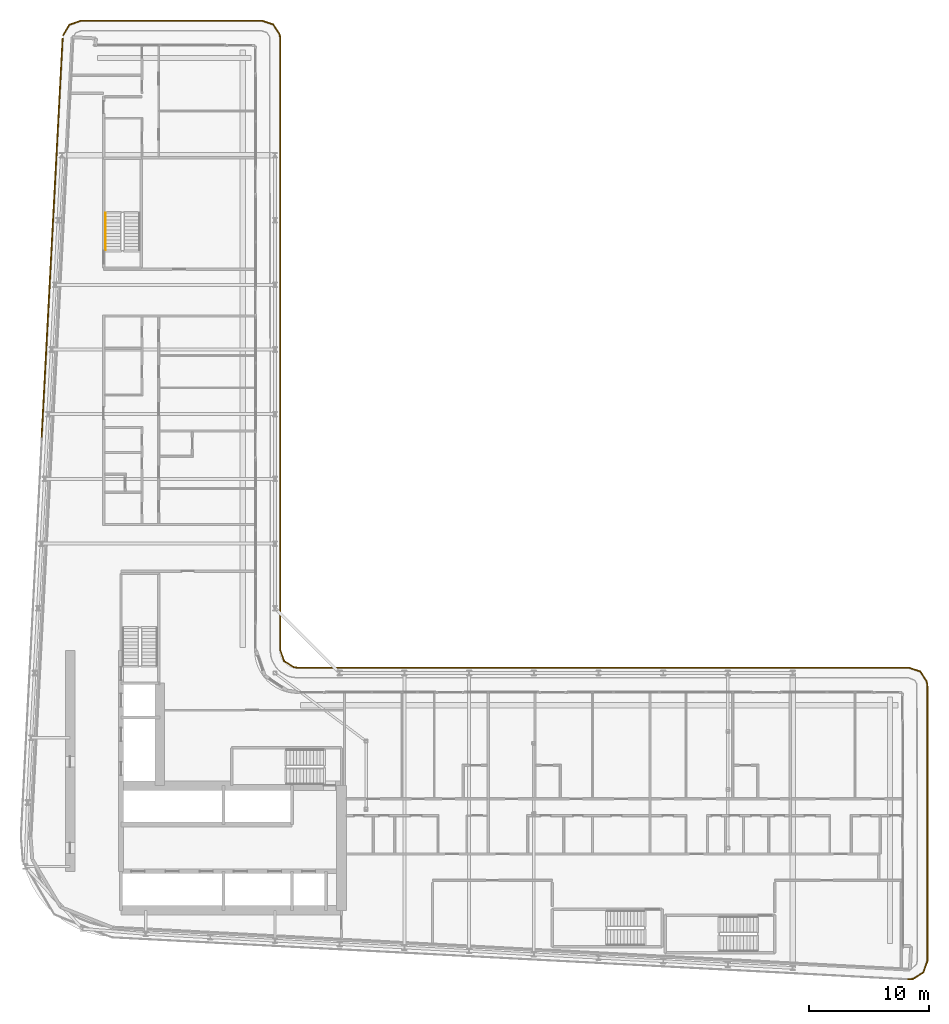
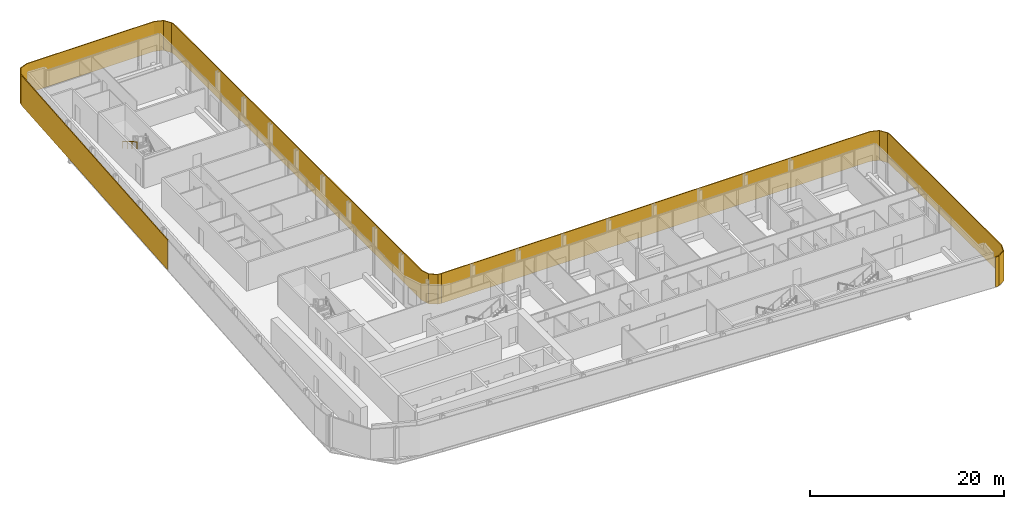
# One storey, part 26 of 28: 3 shading devices, 1 railing.
"""IFC4 building model written with IfcOpenShell, lengths in metres."""

from ifc_helpers import new_model, si_unit, direction, frame, origin, origin_2d, place, context, subcontext, project, spatial, polyline, rectangle, circle, outline, extrude, material, layer, layer_set, type_object, element, save


model = new_model("IFC4")

# Units and contexts
model_context = context("Model", 3, precision=1e-05, world=origin(), true_north=direction((0.0, 1.0)))
body_context = subcontext(model_context, "Body", "Model", "MODEL_VIEW")
ifc_project = project(units=[si_unit("LENGTHUNIT", "METRE"), si_unit("AREAUNIT", "SQUARE_METRE"), si_unit("VOLUMEUNIT", "CUBIC_METRE"), si_unit("PLANEANGLEUNIT", "RADIAN"), si_unit("MASSUNIT", "GRAM", prefix="KILO")], contexts=[model_context])

# Site, building, storey
site_placement = place(None, origin())
site = spatial("IfcSite", under=ifc_project, at=site_placement, CompositionType="ELEMENT")
building_placement = place(site_placement, origin())
building = spatial("IfcBuilding", under=site, at=building_placement, Name="Kheshtan School and Residences Tower", CompositionType="ELEMENT")
storey_placement = place(building_placement, frame((0.0, 0.0, 191.60009765625)))
storey = spatial("IfcBuildingStorey", under=building, at=storey_placement, Name="L45", CompositionType="ELEMENT", Elevation=191.60009765625)

# Shading devices
ifc_material_1 = material(Name="Terracotta baguette, extruded ceramic", Category="masonry")
ifc_layer_1 = layer(ifc_material_1, 0.10009765625)
ifc_layer_set_1 = layer_set([ifc_layer_1], Name="Ledge screen, terracotta baguettes")
shading_device_type_1 = type_object("IfcShadingDeviceType", Name="Ledge screen, terracotta baguettes", PredefinedType="USERDEFINED", material=ifc_layer_set_1)
shading_device_1_placement = place(storey_placement, frame((28.9990234375, 81.93408203125, 0.0), z_axis=(0.0, 0.0, 1.0), x_axis=(0.052562536748, 0.998617634398, 0.0)))
element("IfcShadingDevice", 1, at=shading_device_1_placement, inside=storey, type_object=shading_device_type_1, Name="Screen L45 5", ObjectType="BAGUETTE", PredefinedType="USERDEFINED", context=body_context, shape_type="SweptSolid", body=[
    extrude(rectangle(XDim=33.341064453125, YDim=0.10009765625, at=origin_2d()), origin(), (0.0, 0.0, 1.0), 3.75),
])
ifc_material_2 = material(Name="Terracotta lattice, extruded ceramic", Category="masonry")
ifc_layer_2 = layer(ifc_material_2, 0.10009765625)
ifc_layer_set_2 = layer_set([ifc_layer_2], Name="Loggia screen, terracotta lattice")
shading_device_type_2 = type_object("IfcShadingDeviceType", Name="Loggia screen, terracotta lattice", PredefinedType="USERDEFINED", material=ifc_layer_set_2)
shading_device_2_placement = place(storey_placement, origin())
element("IfcShadingDevice", 2, at=shading_device_2_placement, inside=storey, type_object=shading_device_type_2, Name="Screen L45 1", ObjectType="SCREEN", PredefinedType="USERDEFINED", context=body_context, shape_type="SweptSolid", body=[
    extrude(outline(polyline([(29.949951171875, 98.783935546875), (30.468017578125, 99.656982421875), (31.423095703125, 100.0), (46.5, 100.0), (47.4130859375, 99.68994140625), (47.948974609375, 98.887939453125), (48.0, 98.5), (48.0, 47.5), (48.31005859375, 46.5869140625), (49.112060546875, 46.051025390625), (49.5, 46.0), (49.512939453125, 46.09912109375), (49.14794921875, 46.14697265625), (48.39404296875, 46.65087890625), (48.10009765625, 47.51708984375), (48.10009765625, 98.507080078125), (48.044921875, 98.924072265625), (47.47705078125, 99.77392578125), (46.51708984375, 100.10009765625), (31.406005859375, 100.10009765625), (30.39990234375, 99.739013671875), (29.864013671875, 98.8349609375), (29.949951171875, 98.783935546875)])), origin(), (0.0, 0.0, 1.0), 3.75),
])
shading_device_3_placement = place(storey_placement, origin())
element("IfcShadingDevice", 3, at=shading_device_3_placement, inside=storey, type_object=shading_device_type_2, Name="Screen L45 2", ObjectType="SCREEN", PredefinedType="USERDEFINED", context=body_context, shape_type="SweptSolid", body=[
    extrude(outline(polyline([(49.5, 46.0), (100.5, 46.0), (101.4130859375, 45.68994140625), (101.948974609375, 44.887939453125), (102.0, 44.5), (102.0, 21.5810546875), (101.669921875, 20.64208984375), (100.823974609375, 20.116943359375), (100.4208984375, 20.0830078125), (100.428955078125, 19.98291015625), (100.85595703125, 20.01904296875), (101.7529296875, 20.575927734375), (102.10009765625, 21.56396484375), (102.10009765625, 44.507080078125), (102.044921875, 44.924072265625), (101.47705078125, 45.77392578125), (100.51708984375, 46.10009765625), (49.5, 46.10009765625), (49.5, 46.0)])), origin(), (0.0, 0.0, 1.0), 3.75),
])

# Railing
ifc_material_3 = material(Name="Stainless steel handrail", Category="steel")
railing_type = type_object("IfcRailingType", Name="Stair handrail 900", PredefinedType="HANDRAIL", material=ifc_material_3)
railing_placement = place(storey_placement, frame((33.449951171875, 83.97998046875, 2.1123046875)))
element("IfcRailing", 4, at=railing_placement, inside=storey, type_object=railing_type, Name="L45 ST3 stair handrail 2", PredefinedType="HANDRAIL", context=body_context, shape_type="SweptSolid", body=[
    extrude(circle(Radius=0.02392578125, at=origin_2d()), frame((0.0, 0.0, 0.8759765625), z_axis=(0.0, -0.864890721111, 0.501960198159), x_axis=(1.0, 0.0, 0.0)), (0.0, 0.0, 1.0), 3.561279296875),
    extrude(circle(Radius=0.02099609375, at=origin_2d()), origin(), (0.0, 0.0, 1.0), 0.851806640625),
    extrude(circle(Radius=0.02099609375, at=origin_2d()), frame((0.0, -1.026611328125, 0.595947265625)), (0.0, 0.0, 1.0), 0.851806640625),
    extrude(circle(Radius=0.02099609375, at=origin_2d()), frame((0.0, -2.053466796875, 1.191650390625)), (0.0, 0.0, 1.0), 0.851806640625),
    extrude(circle(Radius=0.02099609375, at=origin_2d()), frame((0.0, -3.080078125, 1.78759765625)), (0.0, 0.0, 1.0), 0.851806640625),
])

save(model, "model.ifc")
